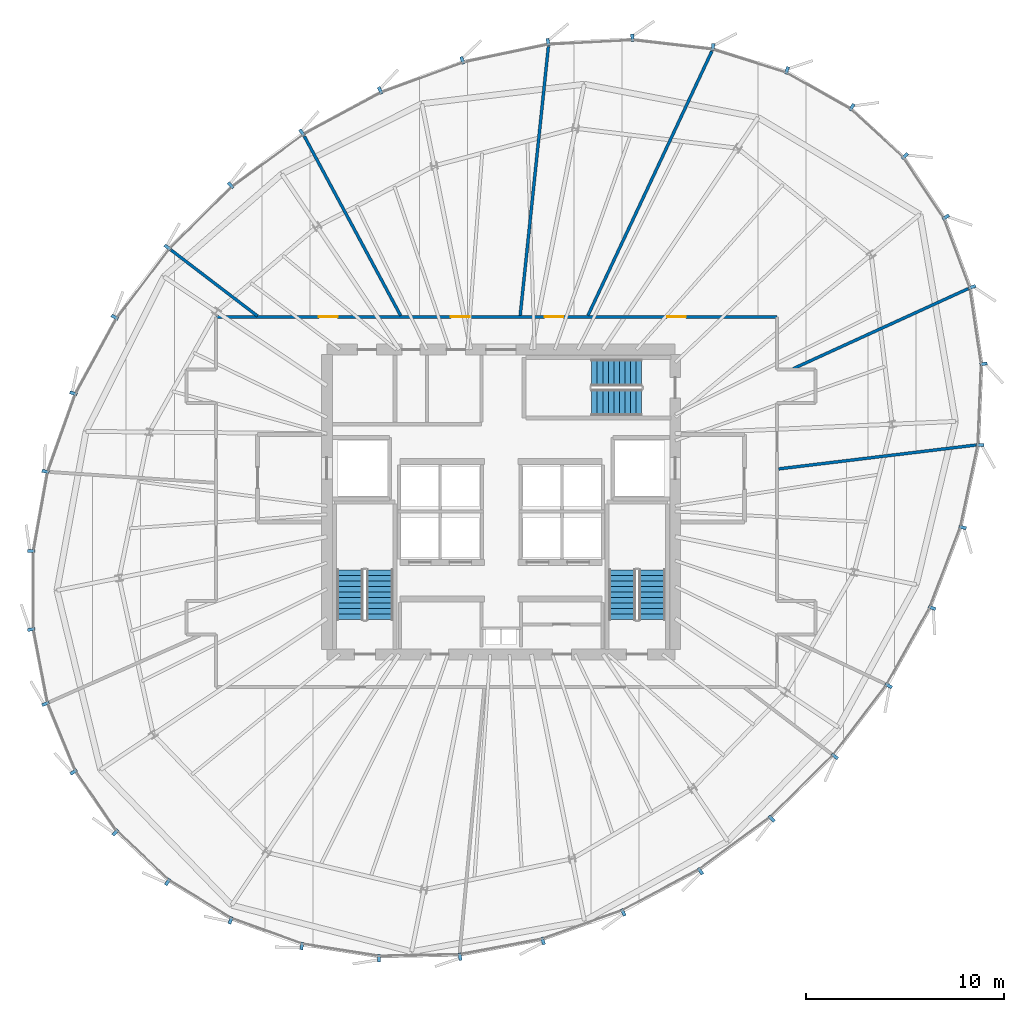
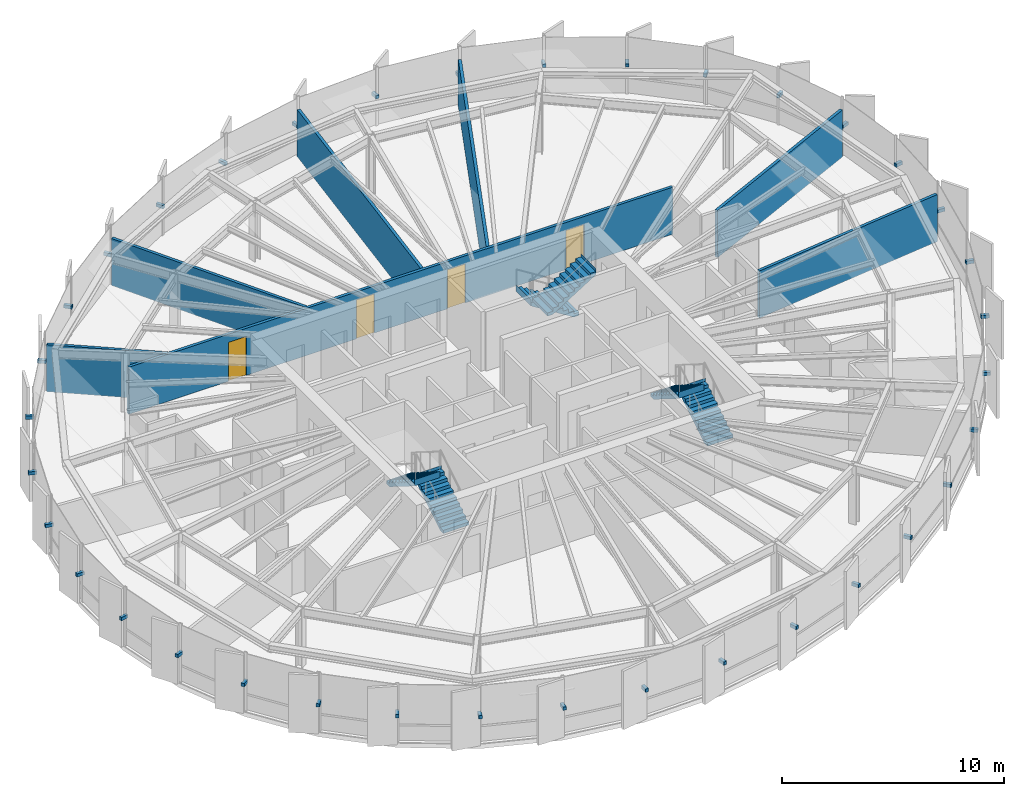
# One storey, part 33 of 36: 36 discrete accessories, 7 walls, 6 stair flights, 4 doors, 4 openings, 3 elements without a shape of their own.
"""IFC4 building model written with IfcOpenShell, lengths in metres."""

from ifc_helpers import new_model, si_unit, direction, frame, frame_2d, origin, origin_2d, place, context, subcontext, project, spatial, polyline, rectangle, outline, extrude, source, transform, mapped, material, layer, layer_set, type_object, element, fill, aggregate, save


model = new_model("IFC4")

# Units and contexts
model_context = context("Model", 3, precision=1e-05, world=origin(), true_north=direction((0.0, 1.0)))
body_context = subcontext(model_context, "Body", "Model", "MODEL_VIEW")
ifc_project = project(units=[si_unit("LENGTHUNIT", "METRE"), si_unit("AREAUNIT", "SQUARE_METRE"), si_unit("VOLUMEUNIT", "CUBIC_METRE"), si_unit("PLANEANGLEUNIT", "RADIAN"), si_unit("MASSUNIT", "GRAM", prefix="KILO"), si_unit("THERMODYNAMICTEMPERATUREUNIT", "KELVIN")], contexts=[model_context])

# Site, building, storey
site_placement = place(None, origin())
site = spatial("IfcSite", under=ifc_project, at=site_placement, CompositionType="ELEMENT")
building_placement = place(site_placement, origin())
building = spatial("IfcBuilding", under=site, at=building_placement, Name="Kethvar Cultural Tower", CompositionType="ELEMENT")
storey_placement = place(building_placement, frame((0.0, 0.0, 197.39990234375)))
storey = spatial("IfcBuildingStorey", under=building, at=storey_placement, Name="L51", CompositionType="ELEMENT", Elevation=197.39990234375)

# Wall, openings, doors
ifc_material_1 = material(Name="Gypsum Fireboard Partition")
ifc_layer_1 = layer(ifc_material_1, 0.14990234375, Name="Gypsum Fireboard Partition")
ifc_layer_set_1 = layer_set([ifc_layer_1], Name="Gypsum Fireboard Partition (150 mm)")
wall_type_1 = type_object("IfcWallType", Name="WL-FIRE-150", PredefinedType="PARTITIONING", material=ifc_layer_set_1)
wall_1_placement = place(storey_placement, frame((60.75, 37.14990234375, 0.0), z_axis=(0.0, 0.0, 1.0), x_axis=(-1.0, 0.0, 0.0)))
wall_1 = element("IfcWall", 1, at=wall_1_placement, inside=storey, type_object=wall_type_1, Name="L51 Corridor Rated Wall N", PredefinedType="PARTITIONING", context=body_context, shape_type="SweptSolid", body=[
    extrude(rectangle(XDim=28.35009765625, YDim=0.14990234375, at=frame_2d((14.175048828125, 0.0))), origin(), (0.0, 0.0, 1.0), 2.59521484375),
])
opening_1_placement = place(wall_1_placement, frame((4.61181640625, 0.0, 0.0)))
opening_1 = element("IfcOpeningElement", 2, at=opening_1_placement, cuts=wall_1, Name="Opening D-L51-06", PredefinedType="OPENING", context=body_context, shape_type="SweptSolid", body=[
    extrude(rectangle(XDim=0.949951171875, YDim=2.14990234375, at=frame_2d((0.47509765625, 1.074951171875))), frame((0.0, 0.0849609375, 0.0), z_axis=(0.0, -1.0, 0.0), x_axis=(1.0, 0.0, 0.0)), (0.0, 0.0, 1.0), 0.169921875),
])
opening_2_placement = place(wall_1_placement, frame((10.803466796875, 0.0, 0.0)))
opening_2 = element("IfcOpeningElement", 3, at=opening_2_placement, cuts=wall_1, Name="Opening D-L51-07", PredefinedType="OPENING", context=body_context, shape_type="SweptSolid", body=[
    extrude(rectangle(XDim=0.949951171875, YDim=2.14990234375, at=frame_2d((0.47509765625, 1.074951171875))), frame((0.0, 0.0849609375, 0.0), z_axis=(0.0, -1.0, 0.0), x_axis=(1.0, 0.0, 0.0)), (0.0, 0.0, 1.0), 0.169921875),
])
opening_3_placement = place(wall_1_placement, frame((15.533935546875, 0.0, 0.0)))
opening_3 = element("IfcOpeningElement", 4, at=opening_3_placement, cuts=wall_1, Name="Opening D-L51-08", PredefinedType="OPENING", context=body_context, shape_type="SweptSolid", body=[
    extrude(rectangle(XDim=0.949951171875, YDim=2.14990234375, at=frame_2d((0.47509765625, 1.074951171875))), frame((0.0, 0.0849609375, 0.0), z_axis=(0.0, -1.0, 0.0), x_axis=(1.0, 0.0, 0.0)), (0.0, 0.0, 1.0), 0.169921875),
])
opening_4_placement = place(wall_1_placement, frame((22.20849609375, 0.0, 0.0)))
opening_4 = element("IfcOpeningElement", 5, at=opening_4_placement, cuts=wall_1, Name="Opening D-L51-09", PredefinedType="OPENING", context=body_context, shape_type="SweptSolid", body=[
    extrude(rectangle(XDim=0.949951171875, YDim=2.14990234375, at=frame_2d((0.47509765625, 1.074951171875))), frame((0.0, 0.0849609375, 0.0), z_axis=(0.0, -1.0, 0.0), x_axis=(1.0, 0.0, 0.0)), (0.0, 0.0, 1.0), 0.169921875),
])
ifc_material_2 = material(Name="Architectural Oak Timber", Category="wood")
door_type = type_object("IfcDoorType", Name="DR-FD30-950", OperationType="NOTDEFINED", PredefinedType="DOOR", material=ifc_material_2)
shared_shape_1 = source(origin(), body_context, "Body", "SweptSolid", [
    extrude(rectangle(XDim=0.949951171875, YDim=2.14990234375, at=frame_2d((0.47509765625, 1.074951171875))), frame((0.0, 0.02490234375, 0.0), z_axis=(0.0, -1.0, 0.0), x_axis=(1.0, 0.0, 0.0)), (0.0, 0.0, 1.0), 0.050048828125),
])
door_1_placement = place(opening_1_placement, origin())
door_1 = element("IfcDoor", 6, at=door_1_placement, inside=storey, type_object=door_type, Name="L51 Symposium Conference Room 06 Door", OperationType="SINGLE_SWING_LEFT", OverallHeight=2.14990234375, OverallWidth=0.949951171875, PredefinedType="DOOR", context=body_context, shape_type="MappedRepresentation", body=[
    mapped(shared_shape_1, transform((0.0, 0.0, 0.0), scale=1.0)),
])
fill(opening_1, door_1)
door_2_placement = place(opening_2_placement, origin())
door_2 = element("IfcDoor", 7, at=door_2_placement, inside=storey, type_object=door_type, Name="L51 Hospitality Sitting Lounge 07 Door", OperationType="SINGLE_SWING_RIGHT", OverallHeight=2.14990234375, OverallWidth=0.949951171875, PredefinedType="DOOR", context=body_context, shape_type="MappedRepresentation", body=[
    mapped(shared_shape_1, transform((0.0, 0.0, 0.0), scale=1.0)),
])
fill(opening_2, door_2)
door_3_placement = place(opening_3_placement, origin())
door_3 = element("IfcDoor", 8, at=door_3_placement, inside=storey, type_object=door_type, Name="L51 Scholars' Den Lounge 08 Door", OperationType="SINGLE_SWING_LEFT", OverallHeight=2.14990234375, OverallWidth=0.949951171875, PredefinedType="DOOR", context=body_context, shape_type="MappedRepresentation", body=[
    mapped(shared_shape_1, transform((0.0, 0.0, 0.0), scale=1.0)),
])
fill(opening_3, door_3)
door_4_placement = place(opening_4_placement, origin())
door_4 = element("IfcDoor", 9, at=door_4_placement, inside=storey, type_object=door_type, Name="L51 Laboratory Tea Pantry 09 Door", OperationType="SINGLE_SWING_RIGHT", OverallHeight=2.14990234375, OverallWidth=0.949951171875, PredefinedType="DOOR", context=body_context, shape_type="MappedRepresentation", body=[
    mapped(shared_shape_1, transform((0.0, 0.0, 0.0), scale=1.0)),
])
fill(opening_4, door_4)

# Walls
ifc_material_3 = material(Name="Gypsum Acoustic Partition")
ifc_layer_2 = layer(ifc_material_3, 0.14990234375, Name="Gypsum Acoustic Partition")
ifc_layer_set_2 = layer_set([ifc_layer_2], Name="Gypsum Acoustic Partition (150 mm)")
wall_type_2 = type_object("IfcWallType", Name="WL-PART-150", PredefinedType="PARTITIONING", material=ifc_layer_set_2)
wall_2_placement = place(storey_placement, frame((60.829345703125, 29.47265625, 0.0), z_axis=(0.0, 0.0, 1.0), x_axis=(0.992768346893, 0.120045863764, 0.0)))
element("IfcWall", 10, at=wall_2_placement, inside=storey, type_object=wall_type_2, Name="L51 Radial Partition Wall 05", PredefinedType="PARTITIONING", context=body_context, shape_type="SweptSolid", body=[
    extrude(rectangle(XDim=10.036376953125, YDim=0.14990234375, at=frame_2d((5.01806640625, 0.0))), origin(), (0.0, 0.0, 1.0), 2.59521484375),
])
wall_3_placement = place(storey_placement, frame((61.554443359375, 34.533203125, 0.0), z_axis=(0.0, 0.0, 1.0), x_axis=(0.909424572648, 0.415868905623, 0.0)))
element("IfcWall", 11, at=wall_3_placement, inside=storey, type_object=wall_type_2, Name="L51 Radial Partition Wall 06", PredefinedType="PARTITIONING", context=body_context, shape_type="SweptSolid", body=[
    extrude(rectangle(XDim=9.726318359375, YDim=0.14990234375, at=frame_2d((4.86328125, 0.0))), origin(), (0.0, 0.0, 1.0), 2.59521484375),
])
wall_4_placement = place(storey_placement, frame((51.190185546875, 37.222412109375, 0.0), z_axis=(0.0, 0.0, 1.0), x_axis=(0.424442356948, 0.905454960574, 0.0)))
element("IfcWall", 12, at=wall_4_placement, inside=storey, type_object=wall_type_2, Name="L51 Radial Partition Wall 07", PredefinedType="PARTITIONING", context=body_context, shape_type="SweptSolid", body=[
    extrude(rectangle(XDim=14.7509765625, YDim=0.14990234375, at=frame_2d((7.37548828125, 0.0))), origin(), (0.0, 0.0, 1.0), 2.59521484375),
])
wall_5_placement = place(storey_placement, frame((47.76611328125, 37.2294921875, 0.0), z_axis=(0.0, 0.0, 1.0), x_axis=(0.104327686944, 0.99454297732, 0.0)))
element("IfcWall", 13, at=wall_5_placement, inside=storey, type_object=wall_type_2, Name="L51 Radial Partition Wall 08", PredefinedType="PARTITIONING", context=body_context, shape_type="SweptSolid", body=[
    extrude(rectangle(XDim=13.666259765625, YDim=0.14990234375, at=frame_2d((6.8330078125, 0.0))), origin(), (0.0, 0.0, 1.0), 2.59521484375),
])
wall_6_placement = place(storey_placement, frame((41.72314453125, 37.220458984375, 0.0), z_axis=(0.0, 0.0, 1.0), x_axis=(-0.473110264435, 0.88100322229, 0.0)))
element("IfcWall", 14, at=wall_6_placement, inside=storey, type_object=wall_type_2, Name="L51 Radial Partition Wall 09", PredefinedType="PARTITIONING", context=body_context, shape_type="SweptSolid", body=[
    extrude(rectangle(XDim=10.287109375, YDim=0.14990234375, at=frame_2d((5.1435546875, 0.0))), origin(), (0.0, 0.0, 1.0), 2.59521484375),
])
wall_7_placement = place(storey_placement, frame((34.48974609375, 37.198486328125, 0.0), z_axis=(0.0, 0.0, 1.0), x_axis=(-0.794783785462, 0.606892687686, 0.0)))
element("IfcWall", 15, at=wall_7_placement, inside=storey, type_object=wall_type_2, Name="L51 Radial Partition Wall 10", PredefinedType="PARTITIONING", context=body_context, shape_type="SweptSolid", body=[
    extrude(rectangle(XDim=5.496337890625, YDim=0.14990234375, at=frame_2d((2.748046875, 0.0))), origin(), (0.0, 0.0, 1.0), 2.59521484375),
])

# Stair, stair flights
ifc_material_4 = material(Name="Concrete C40/50", Category="concrete")
stair_type = type_object("IfcStairType", Name="ST-DOGLEG-135", PredefinedType="HALF_TURN_STAIR", material=ifc_material_4)
stair_1_placement = place(storey_placement, origin())
stair_1 = element("IfcStair", 16, at=stair_1_placement, inside=storey, type_object=stair_type, Name="L51 Core Exit Stair 1", PredefinedType="HALF_TURN_STAIR")
stair_flight_type = type_object("IfcStairFlightType", Name="FL-STRAIGHT-135", PredefinedType="STRAIGHT", material=ifc_material_4)
stair_flight_1_placement = place(storey_placement, frame((40.675048828125, 21.85009765625, 0.0), z_axis=(0.0, 0.0, 1.0), x_axis=(0.0, 1.0, 0.0)))
stair_flight_1 = element("IfcStairFlight", 17, at=stair_flight_1_placement, type_object=stair_flight_type, Name="ST-01 flight 1", NumberOfRisers=10, NumberOfTreads=9, PredefinedType="STRAIGHT", RiserHeight=0.175, TreadLength=0.28, context=body_context, shape_type="SweptSolid", body=[
    extrude(outline(polyline([(-0.0009765625, -0.0009765625), (-0.0009765625, 0.175048828125), (0.280029296875, 0.175048828125), (0.280029296875, 0.35009765625), (0.56005859375, 0.35009765625), (0.56005859375, 0.52490234375), (0.840087890625, 0.52490234375), (0.840087890625, 0.699951171875), (1.1201171875, 0.699951171875), (1.1201171875, 0.875), (1.39990234375, 0.875), (1.39990234375, 1.050048828125), (1.679931640625, 1.050048828125), (1.679931640625, 1.22509765625), (1.9599609375, 1.22509765625), (1.9599609375, 1.39990234375), (2.239990234375, 1.39990234375), (2.239990234375, 1.574951171875), (2.52001953125, 1.574951171875), (2.52001953125, 1.75), (2.52099609375, 1.75), (2.52099609375, 1.398193359375), (0.28271484375, 0.0), (0.0, -0.0009765625), (-0.0009765625, -0.0009765625)])), frame((0.0, 0.675048828125, 0.0), z_axis=(0.0, -1.0, 0.0), x_axis=(1.0, 0.0, 0.0)), (0.0, 0.0, 1.0), 1.35009765625),
])
stair_flight_2_placement = place(storey_placement, frame((39.1650390625, 24.3701171875, 1.75), z_axis=(0.0, 0.0, 1.0), x_axis=(0.0, -1.0, 0.0)))
stair_flight_2 = element("IfcStairFlight", 18, at=stair_flight_2_placement, type_object=stair_flight_type, Name="ST-01 flight 2", NumberOfRisers=10, NumberOfTreads=9, PredefinedType="STRAIGHT", RiserHeight=0.175, TreadLength=0.28, context=body_context, shape_type="SweptSolid", body=[
    extrude(outline(polyline([(-0.0009765625, -0.0009765625), (-0.0009765625, 0.175048828125), (0.280029296875, 0.175048828125), (0.280029296875, 0.35009765625), (0.56005859375, 0.35009765625), (0.56005859375, 0.52490234375), (0.840087890625, 0.52490234375), (0.840087890625, 0.699951171875), (1.1201171875, 0.699951171875), (1.1201171875, 0.875), (1.39990234375, 0.875), (1.39990234375, 1.050048828125), (1.679931640625, 1.050048828125), (1.679931640625, 1.22509765625), (1.9599609375, 1.22509765625), (1.9599609375, 1.39990234375), (2.239990234375, 1.39990234375), (2.239990234375, 1.574951171875), (2.52001953125, 1.574951171875), (2.52001953125, 1.75), (2.52099609375, 1.75), (2.52099609375, 1.398193359375), (0.28271484375, 0.0), (0.0, -0.0009765625), (-0.0009765625, -0.0009765625)])), frame((0.0, 0.675048828125, 0.0), z_axis=(0.0, -1.0, 0.0), x_axis=(1.0, 0.0, 0.0)), (0.0, 0.0, 1.0), 1.35009765625),
])
aggregate(stair_1, [stair_flight_1, stair_flight_2])

stair_2_placement = place(storey_placement, origin())
stair_2 = element("IfcStair", 19, at=stair_2_placement, inside=storey, type_object=stair_type, Name="L51 Core Exit Stair 2", PredefinedType="HALF_TURN_STAIR")
stair_flight_3_placement = place(storey_placement, frame((54.43505859375, 21.85009765625, 0.0), z_axis=(0.0, 0.0, 1.0), x_axis=(0.0, 1.0, 0.0)))
stair_flight_3 = element("IfcStairFlight", 20, at=stair_flight_3_placement, type_object=stair_flight_type, Name="ST-02 flight 1", NumberOfRisers=10, NumberOfTreads=9, PredefinedType="STRAIGHT", RiserHeight=0.175, TreadLength=0.28, context=body_context, shape_type="SweptSolid", body=[
    extrude(outline(polyline([(-0.0009765625, -0.0009765625), (-0.0009765625, 0.175048828125), (0.280029296875, 0.175048828125), (0.280029296875, 0.35009765625), (0.56005859375, 0.35009765625), (0.56005859375, 0.52490234375), (0.840087890625, 0.52490234375), (0.840087890625, 0.699951171875), (1.1201171875, 0.699951171875), (1.1201171875, 0.875), (1.39990234375, 0.875), (1.39990234375, 1.050048828125), (1.679931640625, 1.050048828125), (1.679931640625, 1.22509765625), (1.9599609375, 1.22509765625), (1.9599609375, 1.39990234375), (2.239990234375, 1.39990234375), (2.239990234375, 1.574951171875), (2.52001953125, 1.574951171875), (2.52001953125, 1.75), (2.52099609375, 1.75), (2.52099609375, 1.398193359375), (0.28271484375, 0.0), (0.0, -0.0009765625), (-0.0009765625, -0.0009765625)])), frame((0.0, 0.675048828125, 0.0), z_axis=(0.0, -1.0, 0.0), x_axis=(1.0, 0.0, 0.0)), (0.0, 0.0, 1.0), 1.35009765625),
])
stair_flight_4_placement = place(storey_placement, frame((52.925048828125, 24.3701171875, 1.75), z_axis=(0.0, 0.0, 1.0), x_axis=(0.0, -1.0, 0.0)))
stair_flight_4 = element("IfcStairFlight", 21, at=stair_flight_4_placement, type_object=stair_flight_type, Name="ST-02 flight 2", NumberOfRisers=10, NumberOfTreads=9, PredefinedType="STRAIGHT", RiserHeight=0.175, TreadLength=0.28, context=body_context, shape_type="SweptSolid", body=[
    extrude(outline(polyline([(-0.0009765625, -0.0009765625), (-0.0009765625, 0.175048828125), (0.280029296875, 0.175048828125), (0.280029296875, 0.35009765625), (0.56005859375, 0.35009765625), (0.56005859375, 0.52490234375), (0.840087890625, 0.52490234375), (0.840087890625, 0.699951171875), (1.1201171875, 0.699951171875), (1.1201171875, 0.875), (1.39990234375, 0.875), (1.39990234375, 1.050048828125), (1.679931640625, 1.050048828125), (1.679931640625, 1.22509765625), (1.9599609375, 1.22509765625), (1.9599609375, 1.39990234375), (2.239990234375, 1.39990234375), (2.239990234375, 1.574951171875), (2.52001953125, 1.574951171875), (2.52001953125, 1.75), (2.52099609375, 1.75), (2.52099609375, 1.398193359375), (0.28271484375, 0.0), (0.0, -0.0009765625), (-0.0009765625, -0.0009765625)])), frame((0.0, 0.675048828125, 0.0), z_axis=(0.0, -1.0, 0.0), x_axis=(1.0, 0.0, 0.0)), (0.0, 0.0, 1.0), 1.35009765625),
])
aggregate(stair_2, [stair_flight_3, stair_flight_4])

stair_3_placement = place(storey_placement, origin())
stair_3 = element("IfcStair", 22, at=stair_3_placement, inside=storey, type_object=stair_type, Name="L51 Core Exit Stair 3", PredefinedType="HALF_TURN_STAIR")
stair_flight_5_placement = place(storey_placement, frame((53.89990234375, 34.3349609375, 0.0), z_axis=(0.0, 0.0, 1.0), x_axis=(-1.0, 0.0, 0.0)))
stair_flight_5 = element("IfcStairFlight", 23, at=stair_flight_5_placement, type_object=stair_flight_type, Name="ST-03 flight 1", NumberOfRisers=10, NumberOfTreads=9, PredefinedType="STRAIGHT", RiserHeight=0.175, TreadLength=0.28, context=body_context, shape_type="SweptSolid", body=[
    extrude(outline(polyline([(-0.0009765625, -0.0009765625), (-0.0009765625, 0.175048828125), (0.280029296875, 0.175048828125), (0.280029296875, 0.35009765625), (0.56005859375, 0.35009765625), (0.56005859375, 0.52490234375), (0.840087890625, 0.52490234375), (0.840087890625, 0.699951171875), (1.1201171875, 0.699951171875), (1.1201171875, 0.875), (1.39990234375, 0.875), (1.39990234375, 1.050048828125), (1.679931640625, 1.050048828125), (1.679931640625, 1.22509765625), (1.9599609375, 1.22509765625), (1.9599609375, 1.39990234375), (2.239990234375, 1.39990234375), (2.239990234375, 1.574951171875), (2.52001953125, 1.574951171875), (2.52001953125, 1.75), (2.52099609375, 1.75), (2.52099609375, 1.398193359375), (0.28271484375, 0.0), (0.0, -0.0009765625), (-0.0009765625, -0.0009765625)])), frame((0.0, 0.675048828125, 0.0), z_axis=(0.0, -1.0, 0.0), x_axis=(1.0, 0.0, 0.0)), (0.0, 0.0, 1.0), 1.35009765625),
])
stair_flight_6_placement = place(storey_placement, frame((51.3798828125, 32.824951171875, 1.75), z_axis=(0.0, 0.0, 1.0), x_axis=(1.0, 0.0, 0.0)))
stair_flight_6 = element("IfcStairFlight", 24, at=stair_flight_6_placement, type_object=stair_flight_type, Name="ST-03 flight 2", NumberOfRisers=10, NumberOfTreads=9, PredefinedType="STRAIGHT", RiserHeight=0.175, TreadLength=0.28, context=body_context, shape_type="SweptSolid", body=[
    extrude(outline(polyline([(-0.0009765625, -0.0009765625), (-0.0009765625, 0.175048828125), (0.280029296875, 0.175048828125), (0.280029296875, 0.35009765625), (0.56005859375, 0.35009765625), (0.56005859375, 0.52490234375), (0.840087890625, 0.52490234375), (0.840087890625, 0.699951171875), (1.1201171875, 0.699951171875), (1.1201171875, 0.875), (1.39990234375, 0.875), (1.39990234375, 1.050048828125), (1.679931640625, 1.050048828125), (1.679931640625, 1.22509765625), (1.9599609375, 1.22509765625), (1.9599609375, 1.39990234375), (2.239990234375, 1.39990234375), (2.239990234375, 1.574951171875), (2.52001953125, 1.574951171875), (2.52001953125, 1.75), (2.52099609375, 1.75), (2.52099609375, 1.398193359375), (0.28271484375, 0.0), (0.0, -0.0009765625), (-0.0009765625, -0.0009765625)])), frame((0.0, 0.675048828125, 0.0), z_axis=(0.0, -1.0, 0.0), x_axis=(1.0, 0.0, 0.0)), (0.0, 0.0, 1.0), 1.35009765625),
])
aggregate(stair_3, [stair_flight_5, stair_flight_6])

# Discrete accessories
ifc_material_5 = material(Name="Steel S355J2", Category="steel")
discrete_accessory_type = type_object("IfcDiscreteAccessoryType", Name="Steel Fin Bracket BRK-01", PredefinedType="BRACKET", material=ifc_material_5)
shared_shape_2 = source(origin(), body_context, "Body", "SweptSolid", [
    extrude(rectangle(XDim=0.3798828125, YDim=0.159912109375, at=origin_2d()), origin(), (0.0, 0.0, 1.0), 0.179931640625),
])
for number, where, z_axis, x_axis, name in (
    (25, (67.206787109375, 45.281494140625, 1.5400390625), (0.0, 0.0, 1.0), (0.678287926333, 0.734796222766, 0.0), "L51 Terracotta Fin Bracket 1.1"),
    (26, (64.530029296875, 47.752197265625, 1.5400390625), (0.0, 0.0, 1.0), (0.493182901134, 0.869925643966, 0.0), "L51 Terracotta Fin Bracket 1.2"),
    (27, (61.25, 49.61181640625, 1.5400390625), (0.0, 0.0, 1.0), (0.300039906241, 0.953926650567, 0.0), "L51 Terracotta Fin Bracket 1.3"),
    (28, (57.507568359375, 50.78857421875, 1.5400390625), (0.0, 0.0, 1.0), (0.115803987891, 0.993272085779, 0.0), "L51 Terracotta Fin Bracket 1.4"),
    (29, (53.435302734375, 51.262939453125, 1.5400390625), (0.0, 0.0, 1.0), (-0.052684540515, 0.99861120522, 0.0), "L51 Terracotta Fin Bracket 1.5"),
    (30, (49.177490234375, 51.0380859375, 1.5400390625), (0.0, 0.0, 1.0), (-0.205350196811, 0.978688559589, 0.0), "L51 Terracotta Fin Bracket 1.6"),
    (31, (44.845703125, 50.123291015625, 1.5400390625), (0.0, 0.0, 1.0), (-0.344970582103, 0.93861349739, 0.0), "L51 Terracotta Fin Bracket 2.1"),
    (32, (40.6923828125, 48.59716796875, 1.5400390625), (0.0, 0.0, 1.0), (-0.474088209047, 0.880477353509, 0.0), "L51 Terracotta Fin Bracket 2.2"),
    (33, (36.73779296875, 46.46826171875, 1.5400390625), (0.0, 0.0, 1.0), (-0.593559358034, 0.804790213963, 0.0), "L51 Terracotta Fin Bracket 2.3"),
    (34, (33.12841796875, 43.80615234375, 1.5400390625), (0.0, 0.0, 1.0), (-0.702153052995, 0.712026045991, 0.0), "L51 Terracotta Fin Bracket 2.4"),
    (35, (29.9462890625, 40.66748046875, 1.5400390625), (0.0, 0.0, 1.0), (-0.797478637023, 0.603347183213, 0.0), "L51 Terracotta Fin Bracket 2.5"),
    (36, (27.27587890625, 37.137939453125, 1.5400390625), (0.0, 0.0, 1.0), (-0.878150016915, 0.478385354909, 0.0), "L51 Terracotta Fin Bracket 2.6"),
    (37, (25.185546875, 33.287841796875, 1.5400390625), (0.0, 0.0, 1.0), (-0.941823033858, 0.336109168121, 0.0), "L51 Terracotta Fin Bracket 3.1"),
    (38, (23.77783203125, 29.343505859375, 1.5400390625), (0.0, 0.0, 1.0), (-0.984349768784, 0.176225800308, 0.0), "L51 Terracotta Fin Bracket 3.2"),
    (39, (23.056396484375, 25.315185546875, 1.5400390625), (0.0, 0.0, 1.0), (-1.0, 0.0, 0.0), "L51 Terracotta Fin Bracket 3.3"),
    (40, (23.056396484375, 21.3623046875, 1.5400390625), (0.0, 0.0, 1.0), (-0.98205758823, -0.188581264713, 0.0), "L51 Terracotta Fin Bracket 3.4"),
    (41, (23.778076171875, 17.60498046875, 1.5400390625), (0.0, 0.0, 1.0), (-0.924546033612, -0.38107037635, 0.0), "L51 Terracotta Fin Bracket 3.5"),
    (42, (25.19921875, 14.1572265625, 1.5400390625), (0.0, 0.0, 1.0), (-0.825014880368, -0.565111004292, 0.0), "L51 Terracotta Fin Bracket 3.6"),
    (43, (27.30517578125, 11.097412109375, 1.5400390625), (0.0, 0.0, 1.0), (-0.687214311542, -0.726454740512, 0.0), "L51 Terracotta Fin Bracket 4.1"),
    (44, (29.94775390625, 8.59814453125, 1.5400390625), (0.0, 0.0, 1.0), (-0.521009631841, -0.853550797275, 0.0), "L51 Terracotta Fin Bracket 4.2"),
    (45, (33.130859375, 6.655517578125, 1.5400390625), (0.0, 0.0, 1.0), (-0.339887169865, -0.940466220425, 0.0), "L51 Terracotta Fin Bracket 4.3"),
    (46, (36.72900390625, 5.355224609375, 1.5400390625), (0.0, 0.0, 1.0), (-0.15643446504, -0.987688340595, 0.0), "L51 Terracotta Fin Bracket 4.4"),
    (47, (40.63330078125, 4.7373046875, 1.5400390625), (0.0, 0.0, 1.0), (0.020244436248, -0.9997950604, 0.0), "L51 Terracotta Fin Bracket 4.5"),
    (48, (44.724609375, 4.820068359375, 1.5400390625), (0.0, 0.0, 1.0), (0.184637524056, -0.982806687355, 0.0), "L51 Terracotta Fin Bracket 4.6"),
    (49, (48.915771484375, 5.614013671875, 1.5400390625), (0.0, 0.0, 1.0), (0.335122709234, -0.942174490079, 0.0), "L51 Terracotta Fin Bracket 5.1"),
    (50, (52.97021484375, 7.05615234375, 1.5400390625), (0.0, 0.0, 1.0), (0.471165834227, -0.882044645501, 0.0), "L51 Terracotta Fin Bracket 5.2"),
    (51, (56.873779296875, 9.1416015625, 1.5400390625), (0.0, 0.0, 1.0), (0.593418886604, -0.804893797356, 0.0), "L51 Terracotta Fin Bracket 5.3"),
    (52, (60.471435546875, 11.793701171875, 1.5400390625), (0.0, 0.0, 1.0), (0.702028770313, -0.712148583972, 0.0), "L51 Terracotta Fin Bracket 5.4"),
    (53, (63.665283203125, 14.9423828125, 1.5400390625), (0.0, 0.0, 1.0), (0.795473480855, -0.605988400266, 0.0), "L51 Terracotta Fin Bracket 5.5"),
    (54, (66.386474609375, 18.515380859375, 1.5400390625), (0.0, 0.0, 1.0), (0.873092319232, -0.487554922136, 0.0), "L51 Terracotta Fin Bracket 5.6"),
    (55, (68.576416015625, 22.449462890625, 1.5400390625), (0.0, 0.0, 1.0), (0.934515431196, -0.355922616389, 0.0), "L51 Terracotta Fin Bracket 6.1"),
    (56, (70.12451171875, 26.514404296875, 1.5400390625), (0.0, 0.0, 1.0), (0.978074966272, -0.208253116068, 0.0), "L51 Terracotta Fin Bracket 6.2"),
    (57, (71.01220703125, 30.684814453125, 1.5400390625), (0.0, 0.0, 1.0), (0.999151821338, -0.04117812426, 0.0), "L51 Terracotta Fin Bracket 6.3"),
    (58, (71.1806640625, 34.78125, 1.5400390625), (0.0, 0.0, 1.0), (0.989118812772, 0.147118911839, 0.0), "L51 Terracotta Fin Bracket 6.4"),
    (59, (70.603271484375, 38.661865234375, 1.5400390625), (0.0, 0.0, 1.0), (0.936366219035, 0.351024648492, 0.0), "L51 Terracotta Fin Bracket 6.5"),
    (60, (69.279052734375, 42.192626953125, 1.5400390625), (0.0, 0.0, 1.0), (0.831857270839, 0.554989622383, 0.0), "L51 Terracotta Fin Bracket 6.6"),
):
    element("IfcDiscreteAccessory", number, at=place(storey_placement, frame(where, z_axis=z_axis, x_axis=x_axis)), inside=storey, type_object=discrete_accessory_type, Name=name, PredefinedType="BRACKET", context=body_context, shape_type="MappedRepresentation", body=[
        mapped(shared_shape_2, transform((0.0, 0.0, 0.0), scale=1.0)),
    ])

save(model, "model.ifc")
